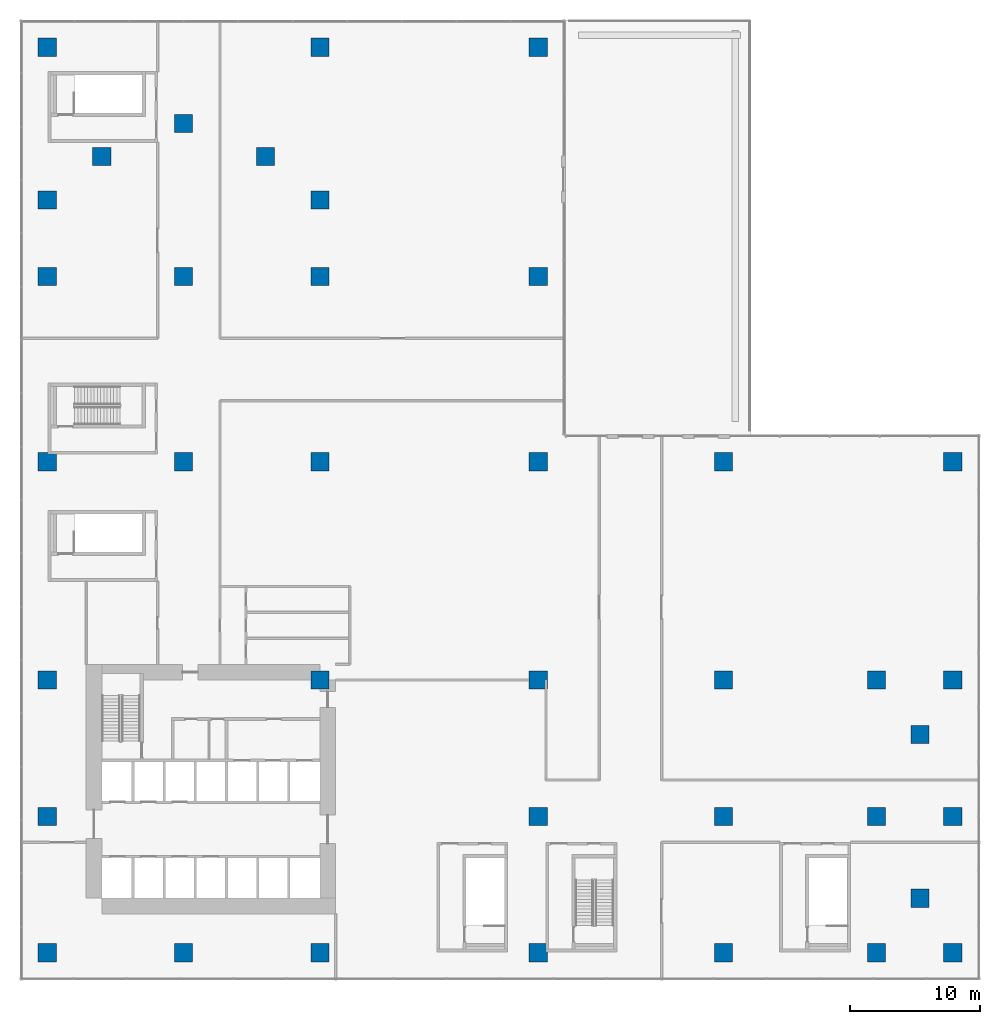
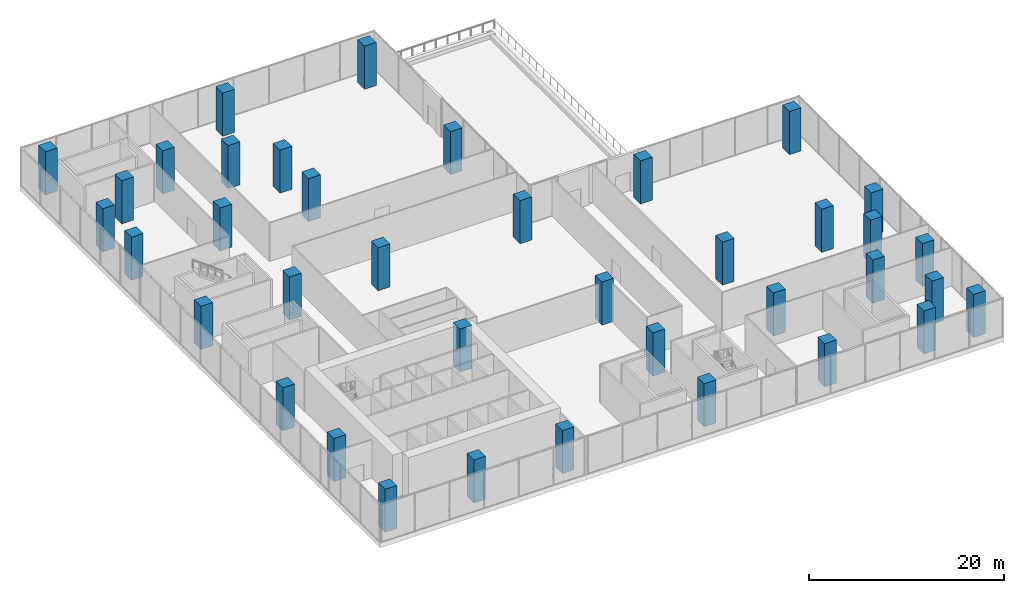
# One storey, part 1 of 21: 38 columns.
"""IFC4 building model written with IfcOpenShell, lengths in metres."""

from ifc_helpers import new_model, si_unit, direction, frame, origin, origin_2d, place, context, subcontext, project, spatial, rectangle, extrude, source, transform, mapped, material, material_profile, profile_set, type_object, element, save


model = new_model("IFC4")

# Units and contexts
model_context = context("Model", 3, precision=1e-05, world=origin(), true_north=direction((0.0, 1.0)))
body_context = subcontext(model_context, "Body", "Model", "MODEL_VIEW")
ifc_project = project(units=[si_unit("LENGTHUNIT", "METRE"), si_unit("AREAUNIT", "SQUARE_METRE"), si_unit("VOLUMEUNIT", "CUBIC_METRE"), si_unit("PLANEANGLEUNIT", "RADIAN"), si_unit("MASSUNIT", "GRAM", prefix="KILO")], contexts=[model_context])

# Site, building, storey
site_placement = place(None, origin())
site = spatial("IfcSite", under=ifc_project, at=site_placement, CompositionType="ELEMENT")
building_placement = place(site_placement, origin())
building = spatial("IfcBuilding", under=site, at=building_placement, Name="Aurelian Terraces", CompositionType="ELEMENT")
storey_placement = place(building_placement, frame((0.0, 0.0, 29.1)))
storey = spatial("IfcBuildingStorey", under=building, at=storey_placement, Name="L05", CompositionType="ELEMENT", Elevation=29.1)

# Columns
ifc_material = material(Name="Concrete fc' 83 MPa", Category="concrete")
ifc_material_profile = material_profile(ifc_material, rectangle(XDim=1.4, YDim=1.4, at=origin_2d()))
ifc_profile_set = profile_set([ifc_material_profile], Name="Concrete fc' 83 MPa")
column_type = type_object("IfcColumnType", Name="RC COLUMN 1400X1400 FC83", PredefinedType="COLUMN", material=ifc_profile_set)
shared_shape = source(origin(), body_context, "Body", "SweptSolid", [
    extrude(rectangle(XDim=1.4, YDim=1.4, at=origin_2d()), origin(), (0.0, 0.0, 1.0), 5.4),
])
for number, where, z_axis, x_axis, name in (
    (1, (0.0, 0.0, 0.0), (0.0, 0.0, 1.0), (1.0, 0.0, 0.0), "Column 1/A L05"),
    (2, (0.0, 10.5, 0.0), (0.0, 0.0, 1.0), (1.0, 0.0, 0.0), "Column 1/B L05"),
    (3, (0.0, 21.0, 0.0), (0.0, 0.0, 1.0), (1.0, 0.0, 0.0), "Column 1/C L05"),
    (4, (0.0, 37.8, 0.0), (0.0, 0.0, 1.0), (1.0, 0.0, 0.0), "Column 1/E L05"),
    (5, (0.0, 52.08, 0.0), (0.0, 0.0, 1.0), (1.0, 0.0, 0.0), "Column 1/G L05"),
    (6, (0.0, 57.96, 0.0), (0.0, 0.0, 1.0), (1.0, 0.0, 0.0), "Column 1/H L05"),
    (7, (0.0, 69.72, 0.0), (0.0, 0.0, 1.0), (1.0, 0.0, 0.0), "Column 1/J L05"),
    (8, (4.2, 61.32, 0.0), (0.0, 0.0, 1.0), (1.0, 0.0, 0.0), "Column 4.20/61.32 L05"),
    (9, (10.5, 0.0, 0.0), (0.0, 0.0, 1.0), (1.0, 0.0, 0.0), "Column 2/A L05"),
    (10, (10.5, 37.8, 0.0), (0.0, 0.0, 1.0), (1.0, 0.0, 0.0), "Column 2/E L05"),
    (11, (10.5, 52.08, 0.0), (0.0, 0.0, 1.0), (1.0, 0.0, 0.0), "Column 2/G L05"),
    (12, (10.5, 63.84, 0.0), (0.0, 0.0, 1.0), (1.0, 0.0, 0.0), "Column 2/I L05"),
    (13, (16.8, 61.32, 0.0), (0.0, 0.0, 1.0), (1.0, 0.0, 0.0), "Column 16.80/61.32 L05"),
    (14, (21.0, 0.0, 0.0), (0.0, 0.0, 1.0), (1.0, 0.0, 0.0), "Column 3/A L05"),
    (15, (21.0, 21.0, 0.0), (0.0, 0.0, 1.0), (1.0, 0.0, 0.0), "Column 3/C L05"),
    (16, (21.0, 37.8, 0.0), (0.0, 0.0, 1.0), (1.0, 0.0, 0.0), "Column 3/E L05"),
    (17, (21.0, 52.08, 0.0), (0.0, 0.0, 1.0), (1.0, 0.0, 0.0), "Column 3/G L05"),
    (18, (21.0, 57.96, 0.0), (0.0, 0.0, 1.0), (1.0, 0.0, 0.0), "Column 3/H L05"),
    (19, (21.0, 69.72, 0.0), (0.0, 0.0, 1.0), (1.0, 0.0, 0.0), "Column 3/J L05"),
    (20, (37.8, 0.0, 0.0), (0.0, 0.0, 1.0), (1.0, 0.0, 0.0), "Column 5/A L05"),
    (21, (37.8, 10.5, 0.0), (0.0, 0.0, 1.0), (1.0, 0.0, 0.0), "Column 5/B L05"),
    (22, (37.8, 21.0, 0.0), (0.0, 0.0, 1.0), (1.0, 0.0, 0.0), "Column 5/C L05"),
    (23, (37.8, 37.8, 0.0), (0.0, 0.0, 1.0), (1.0, 0.0, 0.0), "Column 5/E L05"),
    (24, (37.8, 52.08, 0.0), (0.0, 0.0, 1.0), (1.0, 0.0, 0.0), "Column 5/G L05"),
    (25, (37.8, 69.72, 0.0), (0.0, 0.0, 1.0), (1.0, 0.0, 0.0), "Column 5/J L05"),
    (26, (52.08, 0.0, 0.0), (0.0, 0.0, 1.0), (1.0, 0.0, 0.0), "Column 7/A L05"),
    (27, (52.08, 10.5, 0.0), (0.0, 0.0, 1.0), (1.0, 0.0, 0.0), "Column 7/B L05"),
    (28, (52.08, 21.0, 0.0), (0.0, 0.0, 1.0), (1.0, 0.0, 0.0), "Column 7/C L05"),
    (29, (52.08, 37.8, 0.0), (0.0, 0.0, 1.0), (1.0, 0.0, 0.0), "Column 7/E L05"),
    (30, (63.84, 0.0, 0.0), (0.0, 0.0, 1.0), (1.0, 0.0, 0.0), "Column 9/A L05"),
    (31, (63.84, 10.5, 0.0), (0.0, 0.0, 1.0), (1.0, 0.0, 0.0), "Column 9/B L05"),
    (32, (63.84, 21.0, 0.0), (0.0, 0.0, 1.0), (1.0, 0.0, 0.0), "Column 9/C L05"),
    (33, (67.2, 4.2, 0.0), (0.0, 0.0, 1.0), (1.0, 0.0, 0.0), "Column 67.20/4.20 L05"),
    (34, (67.2, 16.8, 0.0), (0.0, 0.0, 1.0), (1.0, 0.0, 0.0), "Column 67.20/16.80 L05"),
    (35, (69.72, 0.0, 0.0), (0.0, 0.0, 1.0), (1.0, 0.0, 0.0), "Column 10/A L05"),
    (36, (69.72, 10.5, 0.0), (0.0, 0.0, 1.0), (1.0, 0.0, 0.0), "Column 10/B L05"),
    (37, (69.72, 21.0, 0.0), (0.0, 0.0, 1.0), (1.0, 0.0, 0.0), "Column 10/C L05"),
    (38, (69.72, 37.8, 0.0), (0.0, 0.0, 1.0), (1.0, 0.0, 0.0), "Column 10/E L05"),
):
    element("IfcColumn", number, at=place(storey_placement, frame(where, z_axis=z_axis, x_axis=x_axis)), inside=storey, type_object=column_type, Name=name, PredefinedType="COLUMN", context=body_context, shape_type="MappedRepresentation", body=[
        mapped(shared_shape, transform((0.0, 0.0, 0.0), scale=1.0)),
    ])

save(model, "model.ifc")
